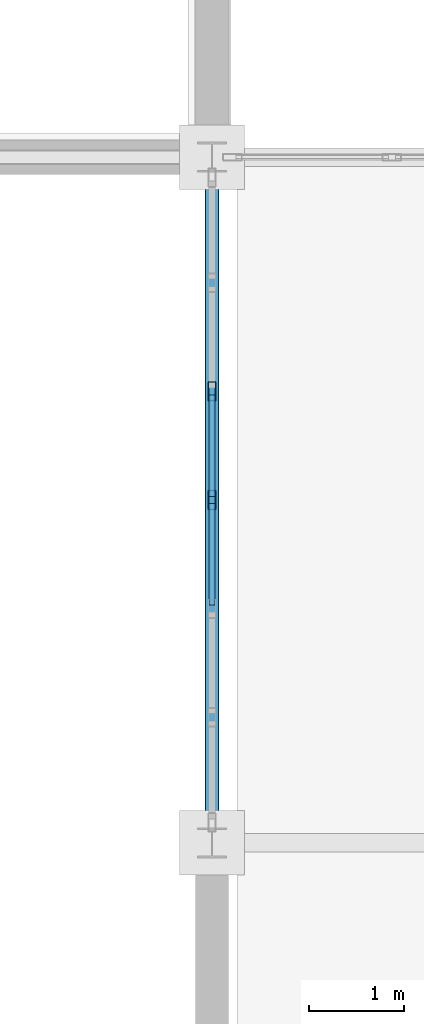
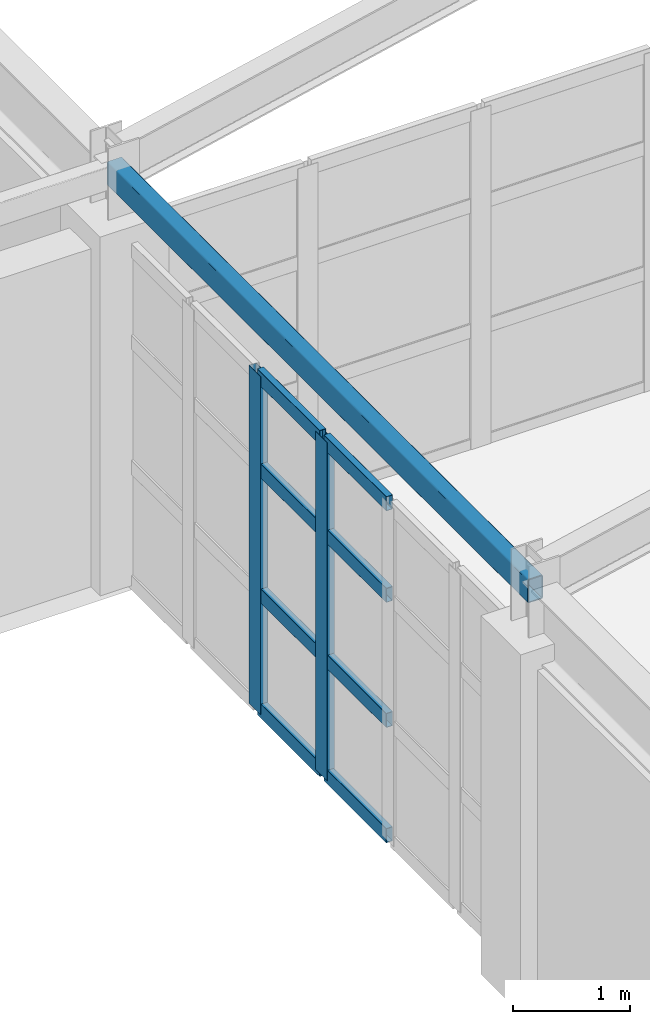
# One storey, part 82 of 137: 10 members, 1 beam, 1 element without a shape of its own.
"""IFC4 building model written with IfcOpenShell, lengths in metres."""

from ifc_helpers import new_model, si_unit, direction, frame, origin, origin_2d, place, context, subcontext, project, spatial, hollow_rectangle, extrude, material, layer, layer_set, material_profile, profile_set, type_object, element, aggregate, save


model = new_model("IFC4")

# Units and contexts
model_context = context("Model", 3, precision=1e-05, world=origin(), true_north=direction((0.0, 1.0)))
body_context = subcontext(model_context, "Body", "Model", "MODEL_VIEW")
ifc_project = project(units=[si_unit("LENGTHUNIT", "METRE"), si_unit("AREAUNIT", "SQUARE_METRE"), si_unit("VOLUMEUNIT", "CUBIC_METRE"), si_unit("PLANEANGLEUNIT", "RADIAN"), si_unit("MASSUNIT", "GRAM", prefix="KILO")], contexts=[model_context])

# Site, building, storey
site_placement = place(None, origin())
site = spatial("IfcSite", under=ifc_project, at=site_placement, CompositionType="ELEMENT")
building_placement = place(site_placement, origin())
building = spatial("IfcBuilding", under=site, at=building_placement, Name="Kemerveld Promenade Tramway Depot", CompositionType="ELEMENT")
storey_placement = place(building_placement, frame((0.0, 0.0, 5.39990234375)))
storey = spatial("IfcBuildingStorey", under=building, at=storey_placement, Name="L01", CompositionType="ELEMENT", Elevation=5.39990234375)

# Beam
ifc_material_1 = material(Name="Steel S355", Category="steel")
ifc_material_profile_1 = material_profile(ifc_material_1, hollow_rectangle(XDim=0.14990234375, YDim=0.25, WallThickness=0.010009765625, InnerFilletRadius=0.0048828125, OuterFilletRadius=0.014892578125, at=origin_2d()), Name="250x150x10.0 RHS")
ifc_profile_set_1 = profile_set([ifc_material_profile_1], Name="Steel S355")
beam_type = type_object("IfcBeamType", Name="BM-SP2", PredefinedType="SPANDREL", material=ifc_profile_set_1)
beam_placement = place(storey_placement, frame((158.39990234375, 43.199951171875, 4.114990234375), z_axis=(0.0, 1.0, 0.0), x_axis=(-1.0, 0.0, 0.0)))
element("IfcBeam", 1, at=beam_placement, inside=storey, type_object=beam_type, Name="BMY-L01-23-G-H", PredefinedType="SPANDREL", context=body_context, shape_type="SweptSolid", body=[
    extrude(hollow_rectangle(XDim=0.14990234375, YDim=0.25, WallThickness=0.010009765625, InnerFilletRadius=0.0048828125, OuterFilletRadius=0.014892578125, at=origin_2d()), origin(), (0.0, 0.0, 1.0), 7.199951171875),
])

# Curtain wall, members
ifc_material_2 = material(Name="Bronze anodised aluminium and solar glass", Category="aluminium")
ifc_layer = layer(ifc_material_2, 0.199951171875)
ifc_layer_set = layer_set([ifc_layer], Name="CW-SYS-06")
curtain_wall_type = type_object("IfcCurtainWallType", Name="CW-SYS-06", PredefinedType="USERDEFINED", material=ifc_layer_set)
curtain_wall_placement = place(storey_placement, origin())
curtain_wall = element("IfcCurtainWall", 2, at=curtain_wall_placement, inside=storey, type_object=curtain_wall_type, Name="CW-L01-V2W-03", ObjectType="GLAZED_CURTAIN_WALL", PredefinedType="USERDEFINED")
ifc_material_3 = material(Name="Bronze anodised aluminium", Category="aluminium")
ifc_material_profile_2 = material_profile(ifc_material_3, hollow_rectangle(XDim=0.074951171875, YDim=0.199951171875, WallThickness=0.0048828125, InnerFilletRadius=0.001953125, OuterFilletRadius=0.0048828125, at=origin_2d()), Name="CW-MUL-200x75")
ifc_profile_set_2 = profile_set([ifc_material_profile_2], Name="Bronze anodised aluminium")
member_type_1 = type_object("IfcMemberType", Name="CW-MUL-B", PredefinedType="MULLION", material=ifc_profile_set_2)
member_1_placement = place(storey_placement, frame((158.39990234375, 46.800048828125, 0.0), z_axis=(0.0, 0.0, 1.0), x_axis=(-1.0, 0.0, 0.0)))
member_1 = element("IfcMember", 3, at=member_1_placement, type_object=member_type_1, Name="CW06 mullion 4", PredefinedType="MULLION", context=body_context, shape_type="SweptSolid", body=[
    extrude(hollow_rectangle(XDim=0.074951171875, YDim=0.199951171875, WallThickness=0.0048828125, InnerFilletRadius=0.001953125, OuterFilletRadius=0.0048828125, at=origin_2d()), origin(), (0.0, 0.0, 1.0), 3.53271484375),
])
member_2_placement = place(storey_placement, frame((158.39990234375, 47.94091796875, 0.0), z_axis=(0.0, 0.0, 1.0), x_axis=(-1.0, 0.0, 0.0)))
member_2 = element("IfcMember", 4, at=member_2_placement, type_object=member_type_1, Name="CW06 mullion 5", PredefinedType="MULLION", context=body_context, shape_type="SweptSolid", body=[
    extrude(hollow_rectangle(XDim=0.074951171875, YDim=0.199951171875, WallThickness=0.0048828125, InnerFilletRadius=0.001953125, OuterFilletRadius=0.0048828125, at=origin_2d()), origin(), (0.0, 0.0, 1.0), 3.53271484375),
])
ifc_material_profile_3 = material_profile(ifc_material_3, hollow_rectangle(XDim=0.06494140625, YDim=0.14990234375, WallThickness=0.00439453125, InnerFilletRadius=0.001953125, OuterFilletRadius=0.00439453125, at=origin_2d()), Name="CW-TRN-150x65")
ifc_profile_set_3 = profile_set([ifc_material_profile_3], Name="Bronze anodised aluminium")
member_type_2 = type_object("IfcMemberType", Name="CW-TRN-B", PredefinedType="USERDEFINED", material=ifc_profile_set_3)
member_3_placement = place(storey_placement, frame((158.39990234375, 45.696533203125, 0.03271484375), z_axis=(0.0, 1.0, 0.0), x_axis=(-1.0, 0.0, 0.0)))
member_3 = element("IfcMember", 5, at=member_3_placement, type_object=member_type_2, Name="CW06 transom 3.1", ObjectType="TRANSOM", PredefinedType="USERDEFINED", context=body_context, shape_type="SweptSolid", body=[
    extrude(hollow_rectangle(XDim=0.06494140625, YDim=0.14990234375, WallThickness=0.00439453125, InnerFilletRadius=0.001953125, OuterFilletRadius=0.00439453125, at=origin_2d()), origin(), (0.0, 0.0, 1.0), 1.06591796875),
])
member_4_placement = place(storey_placement, frame((158.39990234375, 45.696533203125, 1.236083984375), z_axis=(0.0, 1.0, 0.0), x_axis=(-1.0, 0.0, 0.0)))
member_4 = element("IfcMember", 6, at=member_4_placement, type_object=member_type_2, Name="CW06 transom 3.2", ObjectType="TRANSOM", PredefinedType="USERDEFINED", context=body_context, shape_type="SweptSolid", body=[
    extrude(hollow_rectangle(XDim=0.06494140625, YDim=0.14990234375, WallThickness=0.00439453125, InnerFilletRadius=0.001953125, OuterFilletRadius=0.00439453125, at=origin_2d()), origin(), (0.0, 0.0, 1.0), 1.06591796875),
])
member_5_placement = place(storey_placement, frame((158.39990234375, 45.696533203125, 2.543212890625), z_axis=(0.0, 1.0, 0.0), x_axis=(-1.0, 0.0, 0.0)))
member_5 = element("IfcMember", 7, at=member_5_placement, type_object=member_type_2, Name="CW06 transom 3.3", ObjectType="TRANSOM", PredefinedType="USERDEFINED", context=body_context, shape_type="SweptSolid", body=[
    extrude(hollow_rectangle(XDim=0.06494140625, YDim=0.14990234375, WallThickness=0.00439453125, InnerFilletRadius=0.001953125, OuterFilletRadius=0.00439453125, at=origin_2d()), origin(), (0.0, 0.0, 1.0), 1.06591796875),
])
member_6_placement = place(storey_placement, frame((158.39990234375, 45.696533203125, 3.500244140625), z_axis=(0.0, 1.0, 0.0), x_axis=(-1.0, 0.0, 0.0)))
member_6 = element("IfcMember", 8, at=member_6_placement, type_object=member_type_2, Name="CW06 transom 3.4", ObjectType="TRANSOM", PredefinedType="USERDEFINED", context=body_context, shape_type="SweptSolid", body=[
    extrude(hollow_rectangle(XDim=0.06494140625, YDim=0.14990234375, WallThickness=0.00439453125, InnerFilletRadius=0.001953125, OuterFilletRadius=0.00439453125, at=origin_2d()), origin(), (0.0, 0.0, 1.0), 1.06591796875),
])
member_7_placement = place(storey_placement, frame((158.39990234375, 46.83740234375, 0.03271484375), z_axis=(0.0, 1.0, 0.0), x_axis=(-1.0, 0.0, 0.0)))
member_7 = element("IfcMember", 9, at=member_7_placement, type_object=member_type_2, Name="CW06 transom 4.1", ObjectType="TRANSOM", PredefinedType="USERDEFINED", context=body_context, shape_type="SweptSolid", body=[
    extrude(hollow_rectangle(XDim=0.06494140625, YDim=0.14990234375, WallThickness=0.00439453125, InnerFilletRadius=0.001953125, OuterFilletRadius=0.00439453125, at=origin_2d()), origin(), (0.0, 0.0, 1.0), 1.06591796875),
])
member_8_placement = place(storey_placement, frame((158.39990234375, 46.83740234375, 1.236083984375), z_axis=(0.0, 1.0, 0.0), x_axis=(-1.0, 0.0, 0.0)))
member_8 = element("IfcMember", 10, at=member_8_placement, type_object=member_type_2, Name="CW06 transom 4.2", ObjectType="TRANSOM", PredefinedType="USERDEFINED", context=body_context, shape_type="SweptSolid", body=[
    extrude(hollow_rectangle(XDim=0.06494140625, YDim=0.14990234375, WallThickness=0.00439453125, InnerFilletRadius=0.001953125, OuterFilletRadius=0.00439453125, at=origin_2d()), origin(), (0.0, 0.0, 1.0), 1.06591796875),
])
member_9_placement = place(storey_placement, frame((158.39990234375, 46.83740234375, 2.543212890625), z_axis=(0.0, 1.0, 0.0), x_axis=(-1.0, 0.0, 0.0)))
member_9 = element("IfcMember", 11, at=member_9_placement, type_object=member_type_2, Name="CW06 transom 4.3", ObjectType="TRANSOM", PredefinedType="USERDEFINED", context=body_context, shape_type="SweptSolid", body=[
    extrude(hollow_rectangle(XDim=0.06494140625, YDim=0.14990234375, WallThickness=0.00439453125, InnerFilletRadius=0.001953125, OuterFilletRadius=0.00439453125, at=origin_2d()), origin(), (0.0, 0.0, 1.0), 1.06591796875),
])
member_10_placement = place(storey_placement, frame((158.39990234375, 46.83740234375, 3.500244140625), z_axis=(0.0, 1.0, 0.0), x_axis=(-1.0, 0.0, 0.0)))
member_10 = element("IfcMember", 12, at=member_10_placement, type_object=member_type_2, Name="CW06 transom 4.4", ObjectType="TRANSOM", PredefinedType="USERDEFINED", context=body_context, shape_type="SweptSolid", body=[
    extrude(hollow_rectangle(XDim=0.06494140625, YDim=0.14990234375, WallThickness=0.00439453125, InnerFilletRadius=0.001953125, OuterFilletRadius=0.00439453125, at=origin_2d()), origin(), (0.0, 0.0, 1.0), 1.06591796875),
])
aggregate(curtain_wall, [member_1, member_2, member_3, member_4, member_5, member_6, member_7, member_8, member_9, member_10])

save(model, "model.ifc")
